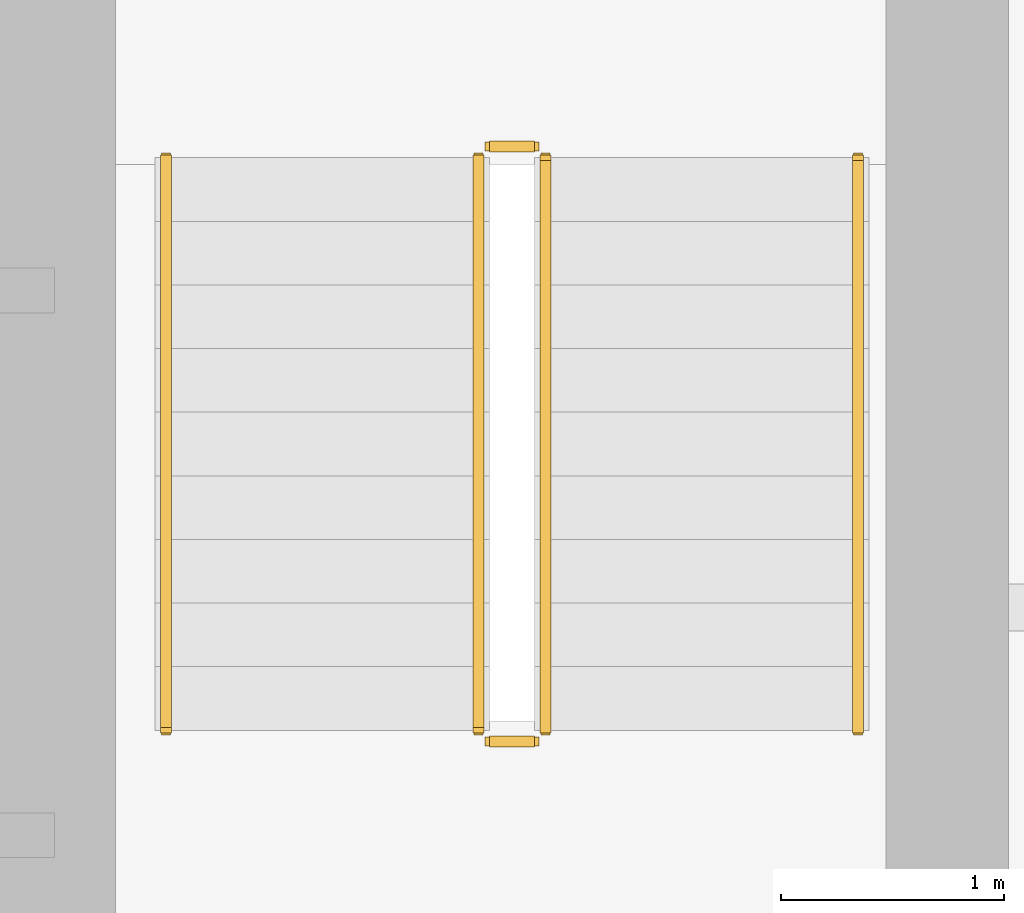
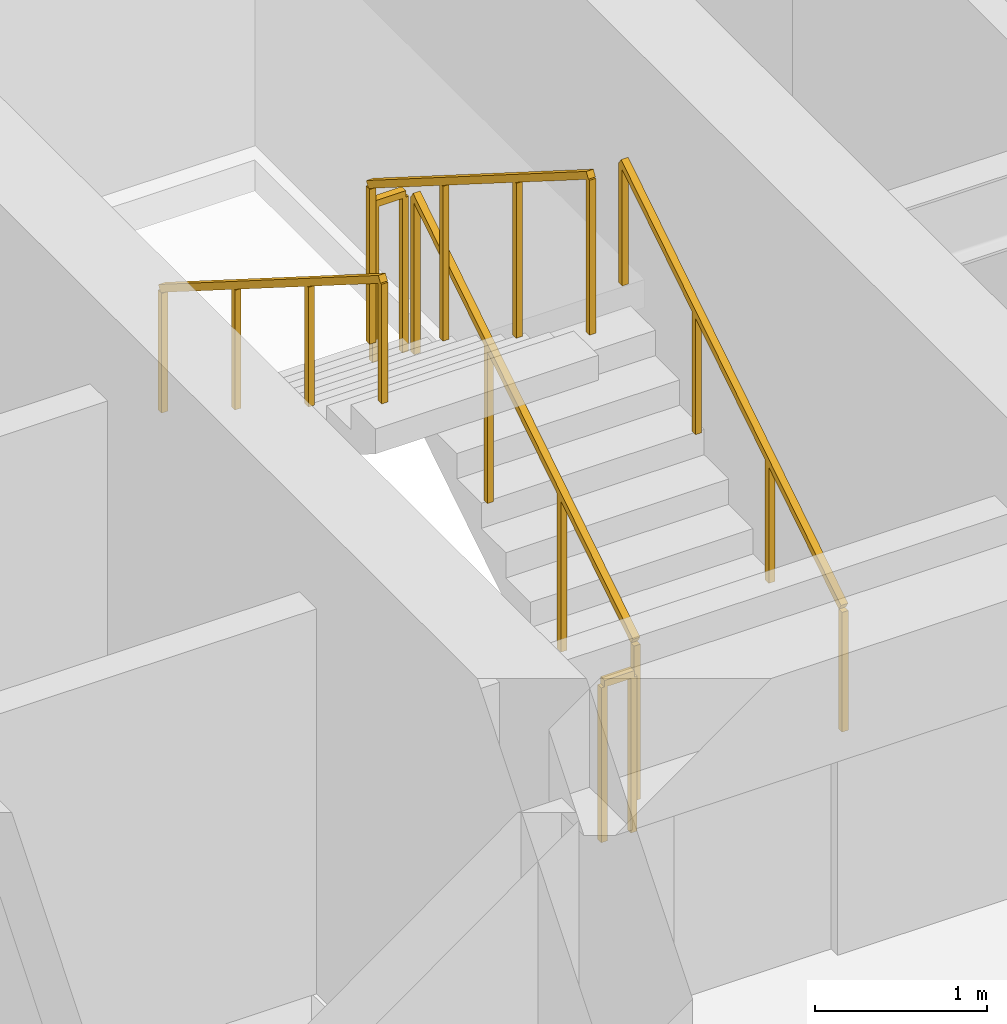
# One storey, part 24 of 24: 6 railings.
"""IFC4 building model written with IfcOpenShell, lengths in metres."""

from ifc_helpers import new_model, si_unit, direction, frame, origin, origin_2d, place, context, subcontext, project, spatial, rectangle, extrude, material, type_object, element, save


model = new_model("IFC4")

# Units and contexts
model_context = context("Model", 3, precision=1e-05, world=origin(), true_north=direction((0.0, 1.0)))
body_context = subcontext(model_context, "Body", "Model", "MODEL_VIEW")
ifc_project = project(units=[si_unit("LENGTHUNIT", "METRE"), si_unit("AREAUNIT", "SQUARE_METRE"), si_unit("VOLUMEUNIT", "CUBIC_METRE"), si_unit("PLANEANGLEUNIT", "RADIAN"), si_unit("MASSUNIT", "GRAM", prefix="KILO")], contexts=[model_context])

# Site, building, storey
site_placement = place(None, origin())
site = spatial("IfcSite", under=ifc_project, at=site_placement, CompositionType="ELEMENT")
building_placement = place(site_placement, origin())
building = spatial("IfcBuilding", under=site, at=building_placement, Name="Sarneth Arch Tower", CompositionType="ELEMENT")
storey_placement = place(building_placement, frame((0.0, 0.0, 120.0)))
storey = spatial("IfcBuildingStorey", under=building, at=storey_placement, Name="L30", CompositionType="ELEMENT", Elevation=120.0)

# Railings
ifc_material_1 = material(Name="Brushed Stainless Steel 304 tubular handrail", Category="steel")
railing_type_1 = type_object("IfcRailingType", Name="RAIL-HANDRAIL-900", PredefinedType="HANDRAIL", material=ifc_material_1)
railing_1_placement = place(storey_placement, frame((58.60009765625, 41.449951171875, 0.179931640625)))
element("IfcRailing", 1, at=railing_1_placement, inside=storey, type_object=railing_type_1, Name="L30 ST-2 stair handrail 1", PredefinedType="HANDRAIL", context=body_context, shape_type="SweptSolid", body=[
    extrude(rectangle(XDim=0.048095703125, YDim=0.048095703125, at=origin_2d()), frame((0.0, 0.0, 0.8759765625), z_axis=(0.0, 0.845465955043, 0.534029323973), x_axis=(-1.0, 0.0, 0.0)), (0.0, 0.0, 1.0), 3.03369140625),
    extrude(rectangle(XDim=0.0419921875, YDim=0.0419921875, at=origin_2d()), origin(), (0.0, 0.0, 1.0), 0.851806640625),
    extrude(rectangle(XDim=0.0419921875, YDim=0.0419921875, at=origin_2d()), frame((0.0, 0.85498046875, 0.5400390625)), (0.0, 0.0, 1.0), 0.851806640625),
    extrude(rectangle(XDim=0.0419921875, YDim=0.0419921875, at=origin_2d()), frame((0.0, 1.7099609375, 1.080078125)), (0.0, 0.0, 1.0), 0.851806640625),
    extrude(rectangle(XDim=0.0419921875, YDim=0.0419921875, at=origin_2d()), frame((0.0, 2.56494140625, 1.6201171875)), (0.0, 0.0, 1.0), 0.851806640625),
])
railing_2_placement = place(storey_placement, frame((55.5, 44.014892578125, 1.97998046875)))
element("IfcRailing", 2, at=railing_2_placement, inside=storey, type_object=railing_type_1, Name="L30 ST-2 stair handrail 2", PredefinedType="HANDRAIL", context=body_context, shape_type="SweptSolid", body=[
    extrude(rectangle(XDim=0.048095703125, YDim=0.048095703125, at=origin_2d()), frame((0.0, 0.0, 0.8759765625), z_axis=(0.0, -0.845465955043, 0.534029323973), x_axis=(1.0, 0.0, 0.0)), (0.0, 0.0, 1.0), 3.03369140625),
    extrude(rectangle(XDim=0.0419921875, YDim=0.0419921875, at=origin_2d()), origin(), (0.0, 0.0, 1.0), 0.851806640625),
    extrude(rectangle(XDim=0.0419921875, YDim=0.0419921875, at=origin_2d()), frame((0.0, -0.85498046875, 0.5400390625)), (0.0, 0.0, 1.0), 0.851806640625),
    extrude(rectangle(XDim=0.0419921875, YDim=0.0419921875, at=origin_2d()), frame((0.0, -1.7099609375, 1.080078125)), (0.0, 0.0, 1.0), 0.851806640625),
    extrude(rectangle(XDim=0.0419921875, YDim=0.0419921875, at=origin_2d()), frame((0.0, -2.56494140625, 1.6201171875)), (0.0, 0.0, 1.0), 0.851806640625),
])
ifc_material_2 = material(Name="Painted Steel S275 stair well guard", Category="steel")
railing_type_2 = type_object("IfcRailingType", Name="RAIL-STAIR-GUARD", PredefinedType="GUARDRAIL", material=ifc_material_2)
railing_3_placement = place(storey_placement, frame((57.199951171875, 41.449951171875, 0.179931640625)))
element("IfcRailing", 3, at=railing_3_placement, inside=storey, type_object=railing_type_2, Name="L30 ST-2 stair guard 1", PredefinedType="GUARDRAIL", context=body_context, shape_type="SweptSolid", body=[
    extrude(rectangle(XDim=0.048095703125, YDim=0.048095703125, at=origin_2d()), frame((0.0, 0.0, 1.1259765625), z_axis=(0.0, 0.845465955043, 0.534029323973), x_axis=(-1.0, 0.0, 0.0)), (0.0, 0.0, 1.0), 3.03369140625),
    extrude(rectangle(XDim=0.0419921875, YDim=0.0419921875, at=origin_2d()), origin(), (0.0, 0.0, 1.0), 1.101806640625),
    extrude(rectangle(XDim=0.0419921875, YDim=0.0419921875, at=origin_2d()), frame((0.0, 0.85498046875, 0.5400390625)), (0.0, 0.0, 1.0), 1.101806640625),
    extrude(rectangle(XDim=0.0419921875, YDim=0.0419921875, at=origin_2d()), frame((0.0, 1.7099609375, 1.080078125)), (0.0, 0.0, 1.0), 1.101806640625),
    extrude(rectangle(XDim=0.0419921875, YDim=0.0419921875, at=origin_2d()), frame((0.0, 2.56494140625, 1.6201171875)), (0.0, 0.0, 1.0), 1.101806640625),
])
railing_4_placement = place(storey_placement, frame((57.14990234375, 44.06494140625, 1.800048828125)))
element("IfcRailing", 4, at=railing_4_placement, inside=storey, type_object=railing_type_2, Name="L30 ST-2 stair guard 2", PredefinedType="GUARDRAIL", context=body_context, shape_type="SweptSolid", body=[
    extrude(rectangle(XDim=0.048095703125, YDim=0.048095703125, at=origin_2d()), frame((0.0, 0.0, 1.1259765625), z_axis=(-1.0, 0.0, 0.0), x_axis=(0.0, -1.0, 0.0)), (0.0, 0.0, 1.0), 0.199951171875),
    extrude(rectangle(XDim=0.0419921875, YDim=0.0419921875, at=origin_2d()), origin(), (0.0, 0.0, 1.0), 1.101806640625),
    extrude(rectangle(XDim=0.0419921875, YDim=0.0419921875, at=origin_2d()), frame((-0.199951171875, 0.0, 0.0)), (0.0, 0.0, 1.0), 1.101806640625),
])
railing_5_placement = place(storey_placement, frame((56.89990234375, 44.014892578125, 1.97998046875)))
element("IfcRailing", 5, at=railing_5_placement, inside=storey, type_object=railing_type_2, Name="L30 ST-2 stair guard 3", PredefinedType="GUARDRAIL", context=body_context, shape_type="SweptSolid", body=[
    extrude(rectangle(XDim=0.048095703125, YDim=0.048095703125, at=origin_2d()), frame((0.0, 0.0, 1.1259765625), z_axis=(0.0, -0.845465955043, 0.534029323973), x_axis=(1.0, 0.0, 0.0)), (0.0, 0.0, 1.0), 3.03369140625),
    extrude(rectangle(XDim=0.0419921875, YDim=0.0419921875, at=origin_2d()), origin(), (0.0, 0.0, 1.0), 1.101806640625),
    extrude(rectangle(XDim=0.0419921875, YDim=0.0419921875, at=origin_2d()), frame((0.0, -0.85498046875, 0.5400390625)), (0.0, 0.0, 1.0), 1.101806640625),
    extrude(rectangle(XDim=0.0419921875, YDim=0.0419921875, at=origin_2d()), frame((0.0, -1.7099609375, 1.080078125)), (0.0, 0.0, 1.0), 1.101806640625),
    extrude(rectangle(XDim=0.0419921875, YDim=0.0419921875, at=origin_2d()), frame((0.0, -2.56494140625, 1.6201171875)), (0.0, 0.0, 1.0), 1.101806640625),
])
railing_6_placement = place(storey_placement, frame((57.14990234375, 41.39990234375, 0.0)))
element("IfcRailing", 6, at=railing_6_placement, inside=storey, type_object=railing_type_2, Name="L30 ST-2 stair guard 4", PredefinedType="GUARDRAIL", context=body_context, shape_type="SweptSolid", body=[
    extrude(rectangle(XDim=0.048095703125, YDim=0.048095703125, at=origin_2d()), frame((0.0, 0.0, 1.1259765625), z_axis=(-1.0, 0.0, 0.0), x_axis=(0.0, -1.0, 0.0)), (0.0, 0.0, 1.0), 0.199951171875),
    extrude(rectangle(XDim=0.0419921875, YDim=0.0419921875, at=origin_2d()), origin(), (0.0, 0.0, 1.0), 1.101806640625),
    extrude(rectangle(XDim=0.0419921875, YDim=0.0419921875, at=origin_2d()), frame((-0.199951171875, 0.0, 0.0)), (0.0, 0.0, 1.0), 1.101806640625),
])

save(model, "model.ifc")
